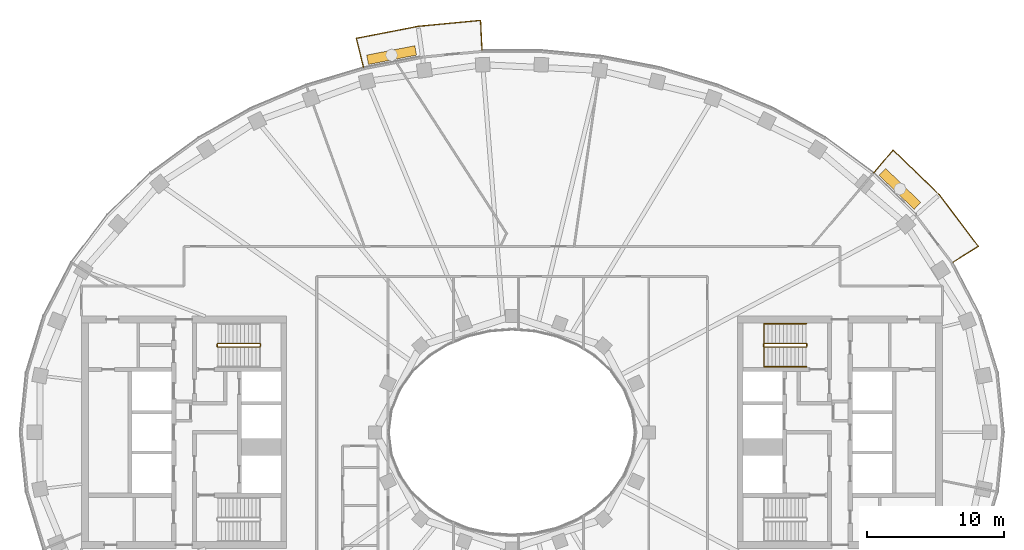
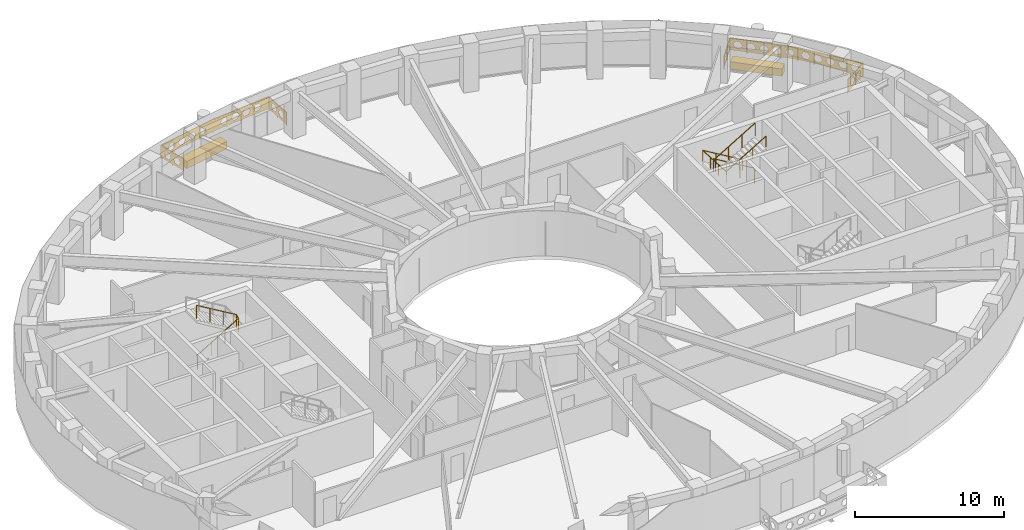
# One storey, part 15 of 16: 5 railings, 2 coverings.
"""IFC4 building model written with IfcOpenShell, lengths in metres."""

from ifc_helpers import new_model, si_unit, direction, frame, origin, origin_2d, place, context, subcontext, project, spatial, polyline, rectangle, outline, extrude, material, type_object, element, save


model = new_model("IFC4")

# Units and contexts
model_context = context("Model", 3, precision=1e-05, world=origin(), true_north=direction((0.0, 1.0)))
body_context = subcontext(model_context, "Body", "Model", "MODEL_VIEW")
ifc_project = project(units=[si_unit("LENGTHUNIT", "METRE"), si_unit("AREAUNIT", "SQUARE_METRE"), si_unit("VOLUMEUNIT", "CUBIC_METRE"), si_unit("PLANEANGLEUNIT", "RADIAN"), si_unit("MASSUNIT", "GRAM", prefix="KILO")], contexts=[model_context])

# Site, building, storey
site_placement = place(None, origin())
site = spatial("IfcSite", under=ifc_project, at=site_placement, CompositionType="ELEMENT")
building_placement = place(site_placement, origin())
building = spatial("IfcBuilding", under=site, at=building_placement, Name="Noorbagh Ring Tower", CompositionType="ELEMENT")
storey_placement = place(building_placement, frame((0.0, 0.0, 281.5)))
storey = spatial("IfcBuildingStorey", under=building, at=storey_placement, Name="L60", CompositionType="ELEMENT", Elevation=281.5)

# Railings
ifc_material_1 = material(Name="Stainless steel", Category="steel")
railing_type_1 = type_object("IfcRailingType", Name="CORE-STAIR-GUARD", PredefinedType="GUARDRAIL", material=ifc_material_1)
railing_1_placement = place(storey_placement, frame((-21.580078125, 6.300048828125, 0.0)))
element("IfcRailing", 1, at=railing_1_placement, inside=storey, type_object=railing_type_1, Name="L60 ST1 stair guard", PredefinedType="GUARDRAIL", context=body_context, shape_type="SweptSolid", body=[
    extrude(rectangle(XDim=0.048095703125, YDim=0.048095703125, at=origin_2d()), frame((0.0, 0.0, 1.076171875), z_axis=(0.0, 1.0, 0.0), x_axis=(-1.0, 0.0, 0.0)), (0.0, 0.0, 1.0), 0.14990234375),
    extrude(rectangle(XDim=0.048095703125, YDim=0.048095703125, at=origin_2d()), frame((0.0, 0.14990234375, 1.076171875), z_axis=(0.188775798145, -0.754182335027, 0.628945707965), x_axis=(0.970072785993, 0.242814311512, 0.0)), (0.0, 0.0, 1.0), 0.26513671875),
    extrude(rectangle(XDim=0.048095703125, YDim=0.048095703125, at=origin_2d()), frame((0.050048828125, -0.050048828125, 1.24267578125), z_axis=(0.859308565015, 0.0, 0.511457515432), x_axis=(0.0, 1.0, 0.0)), (0.0, 0.0, 1.0), 3.58447265625),
    extrude(rectangle(XDim=0.048095703125, YDim=0.048095703125, at=origin_2d()), frame((3.130126953125, -0.050048828125, 3.076171875), z_axis=(0.707106781187, 0.707106781187, 0.0), x_axis=(-0.707106781187, 0.707106781187, 0.0)), (0.0, 0.0, 1.0), 0.07080078125),
    extrude(rectangle(XDim=0.048095703125, YDim=0.048095703125, at=origin_2d()), frame((3.18017578125, 0.0, 3.076171875), z_axis=(0.0, 1.0, 0.0), x_axis=(-1.0, 0.0, 0.0)), (0.0, 0.0, 1.0), 0.14990234375),
    extrude(rectangle(XDim=0.048095703125, YDim=0.048095703125, at=origin_2d()), frame((3.18017578125, 0.14990234375, 3.076171875), z_axis=(-0.27628659633, 0.27628659633, 0.920506074601), x_axis=(-0.707106781187, -0.707106781187, 0.0)), (0.0, 0.0, 1.0), 0.18115234375),
    extrude(rectangle(XDim=0.048095703125, YDim=0.048095703125, at=origin_2d()), frame((3.130126953125, 0.199951171875, 3.24267578125), z_axis=(-0.859308565015, 0.0, 0.511457515432), x_axis=(0.0, -1.0, 0.0)), (0.0, 0.0, 1.0), 3.58447265625),
    extrude(rectangle(XDim=0.0419921875, YDim=0.0419921875, at=origin_2d()), origin(), (0.0, 0.0, 1.0), 1.052001953125),
    extrude(rectangle(XDim=0.0419921875, YDim=0.0419921875, at=origin_2d()), frame((1.07666015625, -0.050048828125, 0.77783203125)), (0.0, 0.0, 1.0), 1.052001953125),
    extrude(rectangle(XDim=0.0419921875, YDim=0.0419921875, at=origin_2d()), frame((2.103515625, -0.050048828125, 1.388916015625)), (0.0, 0.0, 1.0), 1.052001953125),
    extrude(rectangle(XDim=0.0419921875, YDim=0.0419921875, at=origin_2d()), frame((3.130126953125, -0.050048828125, 2.0)), (0.0, 0.0, 1.0), 1.052001953125),
    extrude(rectangle(XDim=0.0419921875, YDim=0.0419921875, at=origin_2d()), frame((3.130126953125, 0.199951171875, 2.166748046875)), (0.0, 0.0, 1.0), 1.052001953125),
    extrude(rectangle(XDim=0.0419921875, YDim=0.0419921875, at=origin_2d()), frame((2.103515625, 0.199951171875, 2.77783203125)), (0.0, 0.0, 1.0), 1.052001953125),
    extrude(rectangle(XDim=0.0419921875, YDim=0.0419921875, at=origin_2d()), frame((1.07666015625, 0.199951171875, 3.388916015625)), (0.0, 0.0, 1.0), 1.052001953125),
    extrude(rectangle(XDim=0.0419921875, YDim=0.0419921875, at=origin_2d()), frame((0.050048828125, 0.199951171875, 4.0)), (0.0, 0.0, 1.0), 1.052001953125),
])
railing_2_placement = place(storey_placement, frame((21.580078125, 6.449951171875, 0.0)))
element("IfcRailing", 2, at=railing_2_placement, inside=storey, type_object=railing_type_1, Name="L60 ST3 stair guard", PredefinedType="GUARDRAIL", context=body_context, shape_type="SweptSolid", body=[
    extrude(rectangle(XDim=0.048095703125, YDim=0.048095703125, at=origin_2d()), frame((0.0, 0.0, 1.076171875), z_axis=(0.0, -1.0, 0.0), x_axis=(1.0, 0.0, 0.0)), (0.0, 0.0, 1.0), 0.14990234375),
    extrude(rectangle(XDim=0.048095703125, YDim=0.048095703125, at=origin_2d()), frame((0.0, -0.14990234375, 1.076171875), z_axis=(-0.188775798145, 0.754182335027, 0.628945707965), x_axis=(-0.970072785993, -0.242814311512, 0.0)), (0.0, 0.0, 1.0), 0.26513671875),
    extrude(rectangle(XDim=0.048095703125, YDim=0.048095703125, at=origin_2d()), frame((-0.050048828125, 0.050048828125, 1.24267578125), z_axis=(-0.859308565015, 0.0, 0.511457515432), x_axis=(0.0, -1.0, 0.0)), (0.0, 0.0, 1.0), 3.58447265625),
    extrude(rectangle(XDim=0.048095703125, YDim=0.048095703125, at=origin_2d()), frame((-3.130126953125, 0.050048828125, 3.076171875), z_axis=(-0.707106781187, -0.707106781187, 0.0), x_axis=(0.707106781187, -0.707106781187, 0.0)), (0.0, 0.0, 1.0), 0.07080078125),
    extrude(rectangle(XDim=0.048095703125, YDim=0.048095703125, at=origin_2d()), frame((-3.18017578125, 0.0, 3.076171875), z_axis=(0.0, -1.0, 0.0), x_axis=(1.0, 0.0, 0.0)), (0.0, 0.0, 1.0), 0.14990234375),
    extrude(rectangle(XDim=0.048095703125, YDim=0.048095703125, at=origin_2d()), frame((-3.18017578125, -0.14990234375, 3.076171875), z_axis=(0.27628659633, -0.27628659633, 0.920506074601), x_axis=(0.707106781187, 0.707106781187, 0.0)), (0.0, 0.0, 1.0), 0.18115234375),
    extrude(rectangle(XDim=0.048095703125, YDim=0.048095703125, at=origin_2d()), frame((-3.130126953125, -0.199951171875, 3.24267578125), z_axis=(0.859308565015, 0.0, 0.511457515432), x_axis=(0.0, 1.0, 0.0)), (0.0, 0.0, 1.0), 3.58447265625),
    extrude(rectangle(XDim=0.0419921875, YDim=0.0419921875, at=origin_2d()), origin(), (0.0, 0.0, 1.0), 1.052001953125),
    extrude(rectangle(XDim=0.0419921875, YDim=0.0419921875, at=origin_2d()), frame((-1.07666015625, 0.050048828125, 0.77783203125)), (0.0, 0.0, 1.0), 1.052001953125),
    extrude(rectangle(XDim=0.0419921875, YDim=0.0419921875, at=origin_2d()), frame((-2.103515625, 0.050048828125, 1.388916015625)), (0.0, 0.0, 1.0), 1.052001953125),
    extrude(rectangle(XDim=0.0419921875, YDim=0.0419921875, at=origin_2d()), frame((-3.130126953125, 0.050048828125, 2.0)), (0.0, 0.0, 1.0), 1.052001953125),
    extrude(rectangle(XDim=0.0419921875, YDim=0.0419921875, at=origin_2d()), frame((-3.130126953125, -0.199951171875, 2.166748046875)), (0.0, 0.0, 1.0), 1.052001953125),
    extrude(rectangle(XDim=0.0419921875, YDim=0.0419921875, at=origin_2d()), frame((-2.103515625, -0.199951171875, 2.77783203125)), (0.0, 0.0, 1.0), 1.052001953125),
    extrude(rectangle(XDim=0.0419921875, YDim=0.0419921875, at=origin_2d()), frame((-1.07666015625, -0.199951171875, 3.388916015625)), (0.0, 0.0, 1.0), 1.052001953125),
    extrude(rectangle(XDim=0.0419921875, YDim=0.0419921875, at=origin_2d()), frame((-0.050048828125, -0.199951171875, 4.0)), (0.0, 0.0, 1.0), 1.052001953125),
])
ifc_material_2 = material(Name="Stainless steel", Category="steel")
railing_type_2 = type_object("IfcRailingType", Name="CORE-STAIR-HANDRAIL", PredefinedType="HANDRAIL", material=ifc_material_2)
railing_3_placement = place(storey_placement, frame((21.530029296875, 7.949951171875, 0.166748046875)))
element("IfcRailing", 3, at=railing_3_placement, inside=storey, type_object=railing_type_2, Name="L60 ST3 stair handrail", PredefinedType="HANDRAIL", context=body_context, shape_type="SweptSolid", body=[
    extrude(rectangle(XDim=0.048095703125, YDim=0.048095703125, at=origin_2d()), frame((0.0, 0.0, 0.8759765625), z_axis=(-0.859308565015, 0.0, 0.511457515432), x_axis=(0.0, -1.0, 0.0)), (0.0, 0.0, 1.0), 3.58447265625),
    extrude(rectangle(XDim=0.048095703125, YDim=0.048095703125, at=origin_2d()), frame((-3.080078125, 0.0, 2.708984375), z_axis=(0.0, -0.998601747152, 0.052863509014), x_axis=(1.0, 0.0, 0.0)), (0.0, 0.0, 1.0), 3.154296875),
    extrude(rectangle(XDim=0.048095703125, YDim=0.048095703125, at=origin_2d()), frame((-3.080078125, -3.14990234375, 2.8759765625), z_axis=(0.859308565015, 0.0, 0.511457515432), x_axis=(0.0, 1.0, 0.0)), (0.0, 0.0, 1.0), 3.58447265625),
    extrude(rectangle(XDim=0.0419921875, YDim=0.0419921875, at=origin_2d()), origin(), (0.0, 0.0, 1.0), 0.851806640625),
    extrude(rectangle(XDim=0.0419921875, YDim=0.0419921875, at=origin_2d()), frame((-1.026611328125, 0.0, 0.611083984375)), (0.0, 0.0, 1.0), 0.851806640625),
    extrude(rectangle(XDim=0.0419921875, YDim=0.0419921875, at=origin_2d()), frame((-2.053466796875, 0.0, 1.22216796875)), (0.0, 0.0, 1.0), 0.851806640625),
    extrude(rectangle(XDim=0.0419921875, YDim=0.0419921875, at=origin_2d()), frame((-3.080078125, 0.0, 1.833251953125)), (0.0, 0.0, 1.0), 0.851806640625),
    extrude(rectangle(XDim=0.0419921875, YDim=0.0419921875, at=origin_2d()), frame((-3.080078125, -1.050048828125, 1.888916015625)), (0.0, 0.0, 1.0), 0.851806640625),
    extrude(rectangle(XDim=0.0419921875, YDim=0.0419921875, at=origin_2d()), frame((-3.080078125, -2.099853515625, 1.9443359375)), (0.0, 0.0, 1.0), 0.851806640625),
    extrude(rectangle(XDim=0.0419921875, YDim=0.0419921875, at=origin_2d()), frame((-3.080078125, -3.14990234375, 2.0)), (0.0, 0.0, 1.0), 0.851806640625),
    extrude(rectangle(XDim=0.0419921875, YDim=0.0419921875, at=origin_2d()), frame((-2.053466796875, -3.14990234375, 2.611083984375)), (0.0, 0.0, 1.0), 0.851806640625),
    extrude(rectangle(XDim=0.0419921875, YDim=0.0419921875, at=origin_2d()), frame((-1.026611328125, -3.14990234375, 3.22216796875)), (0.0, 0.0, 1.0), 0.851806640625),
    extrude(rectangle(XDim=0.0419921875, YDim=0.0419921875, at=origin_2d()), frame((0.0, -3.14990234375, 3.833251953125)), (0.0, 0.0, 1.0), 0.851806640625),
])
ifc_material_3 = material(Name="Steel S275 black powder-coated", Category="steel")
railing_type_3 = type_object("IfcRailingType", Name="ENV-GUARD", PredefinedType="GUARDRAIL", material=ifc_material_3)
railing_4_placement = place(storey_placement, frame((32.255126953125, 12.434814453125, 0.0)))
element("IfcRailing", 4, at=railing_4_placement, inside=storey, type_object=railing_type_3, Name="Balcony guard BN01", PredefinedType="GUARDRAIL", context=body_context, shape_type="SweptSolid", body=[
    extrude(rectangle(XDim=0.048095703125, YDim=0.048095703125, at=origin_2d()), frame((0.0, 0.0, 1.076171875), z_axis=(0.844852397829, 0.534999463442, 0.0), x_axis=(-0.534999463442, 0.844852397829, 0.0)), (0.0, 0.0, 1.0), 2.207763671875),
    extrude(rectangle(XDim=0.048095703125, YDim=0.048095703125, at=origin_2d()), frame((1.865234375, 1.18115234375, 1.076171875), z_axis=(-0.604001613322, 0.796983093362, 0.0), x_axis=(-0.796983093362, -0.604001613322, 0.0)), (0.0, 0.0, 1.0), 4.7353515625),
    extrude(rectangle(XDim=0.048095703125, YDim=0.048095703125, at=origin_2d()), frame((-0.994873046875, 4.955078125, 1.076171875), z_axis=(-0.717212632946, 0.696854388766, 0.0), x_axis=(-0.696854388766, -0.717212632946, 0.0)), (0.0, 0.0, 1.0), 4.700927734375),
    extrude(rectangle(XDim=0.048095703125, YDim=0.048095703125, at=origin_2d()), frame((-4.366455078125, 8.23095703125, 1.076171875), z_axis=(-0.646413574048, -0.762987215677, 0.0), x_axis=(0.762987215677, -0.646413574048, 0.0)), (0.0, 0.0, 1.0), 2.205322265625),
    extrude(rectangle(XDim=0.0419921875, YDim=0.0419921875, at=origin_2d()), origin(), (0.0, 0.0, 1.0), 1.052001953125),
    extrude(rectangle(XDim=0.0419921875, YDim=0.0419921875, at=origin_2d()), frame((0.9326171875, 0.590576171875, 0.0)), (0.0, 0.0, 1.0), 1.052001953125),
    extrude(rectangle(XDim=0.0419921875, YDim=0.0419921875, at=origin_2d()), frame((1.865234375, 1.18115234375, 0.0)), (0.0, 0.0, 1.0), 1.052001953125),
    extrude(rectangle(XDim=0.0419921875, YDim=0.0419921875, at=origin_2d()), frame((1.150146484375, 2.12451171875, 0.0)), (0.0, 0.0, 1.0), 1.052001953125),
    extrude(rectangle(XDim=0.0419921875, YDim=0.0419921875, at=origin_2d()), frame((0.43505859375, 3.068115234375, 0.0)), (0.0, 0.0, 1.0), 1.052001953125),
    extrude(rectangle(XDim=0.0419921875, YDim=0.0419921875, at=origin_2d()), frame((-0.27978515625, 4.01171875, 0.0)), (0.0, 0.0, 1.0), 1.052001953125),
    extrude(rectangle(XDim=0.0419921875, YDim=0.0419921875, at=origin_2d()), frame((-0.994873046875, 4.955078125, 0.0)), (0.0, 0.0, 1.0), 1.052001953125),
    extrude(rectangle(XDim=0.0419921875, YDim=0.0419921875, at=origin_2d()), frame((-1.837890625, 5.77392578125, 0.0)), (0.0, 0.0, 1.0), 1.052001953125),
    extrude(rectangle(XDim=0.0419921875, YDim=0.0419921875, at=origin_2d()), frame((-2.6806640625, 6.593017578125, 0.0)), (0.0, 0.0, 1.0), 1.052001953125),
    extrude(rectangle(XDim=0.0419921875, YDim=0.0419921875, at=origin_2d()), frame((-3.5234375, 7.412109375, 0.0)), (0.0, 0.0, 1.0), 1.052001953125),
    extrude(rectangle(XDim=0.0419921875, YDim=0.0419921875, at=origin_2d()), frame((-4.366455078125, 8.23095703125, 0.0)), (0.0, 0.0, 1.0), 1.052001953125),
    extrude(rectangle(XDim=0.0419921875, YDim=0.0419921875, at=origin_2d()), frame((-5.0791015625, 7.3896484375, 0.0)), (0.0, 0.0, 1.0), 1.052001953125),
    extrude(rectangle(XDim=0.0419921875, YDim=0.0419921875, at=origin_2d()), frame((-5.7919921875, 6.54833984375, 0.0)), (0.0, 0.0, 1.0), 1.052001953125),
    extrude(outline(polyline([(0.0, 0.10009765625), (2.207763671875, 0.10009765625), (2.207763671875, 1.031982421875), (0.0, 1.031982421875), (0.0, 0.10009765625)]), holes=[polyline([(0.9638671875, 0.56591796875), (0.808837890625, 0.83447265625), (0.498779296875, 0.83447265625), (0.343994140625, 0.56591796875), (0.498779296875, 0.297607421875), (0.808837890625, 0.297607421875), (0.9638671875, 0.56591796875)]), polyline([(1.86376953125, 0.56591796875), (1.708984375, 0.83447265625), (1.39892578125, 0.83447265625), (1.243896484375, 0.56591796875), (1.39892578125, 0.297607421875), (1.708984375, 0.297607421875), (1.86376953125, 0.56591796875)])]), frame((-0.00537109375, 0.008544921875, 0.0), z_axis=(0.534999463442, -0.844852397829, 0.0), x_axis=(0.844852397829, 0.534999463442, 0.0)), (0.0, 0.0, 1.0), 0.02001953125),
    extrude(outline(polyline([(0.0, 0.10009765625), (4.7353515625, 0.10009765625), (4.7353515625, 1.031982421875), (0.0, 1.031982421875), (0.0, 0.10009765625)]), holes=[polyline([(0.877685546875, 0.56591796875), (0.72265625, 0.83447265625), (0.41259765625, 0.83447265625), (0.257568359375, 0.56591796875), (0.41259765625, 0.297607421875), (0.72265625, 0.297607421875), (0.877685546875, 0.56591796875)]), polyline([(1.777587890625, 0.56591796875), (1.62255859375, 0.83447265625), (1.312744140625, 0.83447265625), (1.15771484375, 0.56591796875), (1.312744140625, 0.297607421875), (1.62255859375, 0.297607421875), (1.777587890625, 0.56591796875)]), polyline([(2.677734375, 0.56591796875), (2.522705078125, 0.83447265625), (2.212646484375, 0.83447265625), (2.0576171875, 0.56591796875), (2.212646484375, 0.297607421875), (2.522705078125, 0.297607421875), (2.677734375, 0.56591796875)]), polyline([(3.57763671875, 0.56591796875), (3.422607421875, 0.83447265625), (3.112548828125, 0.83447265625), (2.95751953125, 0.56591796875), (3.112548828125, 0.297607421875), (3.422607421875, 0.297607421875), (3.57763671875, 0.56591796875)]), polyline([(4.4775390625, 0.56591796875), (4.32275390625, 0.83447265625), (4.0126953125, 0.83447265625), (3.857666015625, 0.56591796875), (4.0126953125, 0.297607421875), (4.32275390625, 0.297607421875), (4.4775390625, 0.56591796875)])]), frame((1.857177734375, 1.175048828125, 0.0), z_axis=(0.796983093362, 0.604001613322, 0.0), x_axis=(-0.604001613322, 0.796983093362, 0.0)), (0.0, 0.0, 1.0), 0.02001953125),
    extrude(outline(polyline([(0.0, 0.10009765625), (4.700927734375, 0.10009765625), (4.700927734375, 1.031982421875), (0.0, 1.031982421875), (0.0, 0.10009765625)]), holes=[polyline([(0.860595703125, 0.56591796875), (0.70556640625, 0.83447265625), (0.3955078125, 0.83447265625), (0.240478515625, 0.56591796875), (0.3955078125, 0.297607421875), (0.70556640625, 0.297607421875), (0.860595703125, 0.56591796875)]), polyline([(1.760498046875, 0.56591796875), (1.60546875, 0.83447265625), (1.29541015625, 0.83447265625), (1.140380859375, 0.56591796875), (1.29541015625, 0.297607421875), (1.60546875, 0.297607421875), (1.760498046875, 0.56591796875)]), polyline([(2.660400390625, 0.56591796875), (2.50537109375, 0.83447265625), (2.195556640625, 0.83447265625), (2.04052734375, 0.56591796875), (2.195556640625, 0.297607421875), (2.50537109375, 0.297607421875), (2.660400390625, 0.56591796875)]), polyline([(3.560546875, 0.56591796875), (3.405517578125, 0.83447265625), (3.095458984375, 0.83447265625), (2.9404296875, 0.56591796875), (3.095458984375, 0.297607421875), (3.405517578125, 0.297607421875), (3.560546875, 0.56591796875)]), polyline([(4.46044921875, 0.56591796875), (4.305419921875, 0.83447265625), (3.995361328125, 0.83447265625), (3.840576171875, 0.56591796875), (3.995361328125, 0.297607421875), (4.305419921875, 0.297607421875), (4.46044921875, 0.56591796875)])]), frame((-1.001953125, 4.947998046875, 0.0), z_axis=(0.696854388766, 0.717212632946, 0.0), x_axis=(-0.717212632946, 0.696854388766, 0.0)), (0.0, 0.0, 1.0), 0.02001953125),
    extrude(outline(polyline([(0.0, 0.10009765625), (2.205322265625, 0.10009765625), (2.205322265625, 1.031982421875), (0.0, 1.031982421875), (0.0, 0.10009765625)]), holes=[polyline([(0.962646484375, 0.56591796875), (0.8076171875, 0.83447265625), (0.49755859375, 0.83447265625), (0.342529296875, 0.56591796875), (0.49755859375, 0.297607421875), (0.8076171875, 0.297607421875), (0.962646484375, 0.56591796875)]), polyline([(1.862548828125, 0.56591796875), (1.707763671875, 0.83447265625), (1.397705078125, 0.83447265625), (1.24267578125, 0.56591796875), (1.397705078125, 0.297607421875), (1.707763671875, 0.297607421875), (1.862548828125, 0.56591796875)])]), frame((-4.35888671875, 8.224609375, 0.0), z_axis=(-0.762987215677, 0.646413574048, 0.0), x_axis=(-0.646413574048, -0.762987215677, 0.0)), (0.0, 0.0, 1.0), 0.02001953125),
])
railing_5_placement = place(storey_placement, frame((-2.193115234375, 27.947998046875, 0.0)))
element("IfcRailing", 5, at=railing_5_placement, inside=storey, type_object=railing_type_3, Name="Balcony guard BN04", PredefinedType="GUARDRAIL", context=body_context, shape_type="SweptSolid", body=[
    extrude(rectangle(XDim=0.048095703125, YDim=0.048095703125, at=origin_2d()), frame((0.0, 0.0, 1.076171875), z_axis=(-0.047554616162, 0.998868639252, 0.0), x_axis=(-0.998868639252, -0.047554616162, 0.0)), (0.0, 0.0, 1.0), 2.202392578125),
    extrude(rectangle(XDim=0.048095703125, YDim=0.048095703125, at=origin_2d()), frame((-0.104736328125, 2.199951171875, 1.076171875), z_axis=(-0.995477555764, -0.094997031379, 0.0), x_axis=(0.094997031379, -0.995477555764, 0.0)), (0.0, 0.0, 1.0), 4.59765625),
    extrude(rectangle(XDim=0.048095703125, YDim=0.048095703125, at=origin_2d()), frame((-4.681640625, 1.76318359375, 1.076171875), z_axis=(-0.981625049064, -0.1908199755, 0.0), x_axis=(0.1908199755, -0.981625049064, 0.0)), (0.0, 0.0, 1.0), 4.603271484375),
    extrude(rectangle(XDim=0.048095703125, YDim=0.048095703125, at=origin_2d()), frame((-9.200439453125, 0.884765625, 1.076171875), z_axis=(0.239848558412, -0.970810315679, 0.0), x_axis=(0.970810315679, 0.239848558412, 0.0)), (0.0, 0.0, 1.0), 2.20263671875),
    extrude(rectangle(XDim=0.0419921875, YDim=0.0419921875, at=origin_2d()), origin(), (0.0, 0.0, 1.0), 1.052001953125),
    extrude(rectangle(XDim=0.0419921875, YDim=0.0419921875, at=origin_2d()), frame((-0.05224609375, 1.10009765625, 0.0)), (0.0, 0.0, 1.0), 1.052001953125),
    extrude(rectangle(XDim=0.0419921875, YDim=0.0419921875, at=origin_2d()), frame((-0.104736328125, 2.199951171875, 0.0)), (0.0, 0.0, 1.0), 1.052001953125),
    extrude(rectangle(XDim=0.0419921875, YDim=0.0419921875, at=origin_2d()), frame((-1.2490234375, 2.0908203125, 0.0)), (0.0, 0.0, 1.0), 1.052001953125),
    extrude(rectangle(XDim=0.0419921875, YDim=0.0419921875, at=origin_2d()), frame((-2.39306640625, 1.9814453125, 0.0)), (0.0, 0.0, 1.0), 1.052001953125),
    extrude(rectangle(XDim=0.0419921875, YDim=0.0419921875, at=origin_2d()), frame((-3.537353515625, 1.872314453125, 0.0)), (0.0, 0.0, 1.0), 1.052001953125),
    extrude(rectangle(XDim=0.0419921875, YDim=0.0419921875, at=origin_2d()), frame((-4.681640625, 1.76318359375, 0.0)), (0.0, 0.0, 1.0), 1.052001953125),
    extrude(rectangle(XDim=0.0419921875, YDim=0.0419921875, at=origin_2d()), frame((-5.811279296875, 1.54345703125, 0.0)), (0.0, 0.0, 1.0), 1.052001953125),
    extrude(rectangle(XDim=0.0419921875, YDim=0.0419921875, at=origin_2d()), frame((-6.94091796875, 1.323974609375, 0.0)), (0.0, 0.0, 1.0), 1.052001953125),
    extrude(rectangle(XDim=0.0419921875, YDim=0.0419921875, at=origin_2d()), frame((-8.07080078125, 1.1044921875, 0.0)), (0.0, 0.0, 1.0), 1.052001953125),
    extrude(rectangle(XDim=0.0419921875, YDim=0.0419921875, at=origin_2d()), frame((-9.200439453125, 0.884765625, 0.0)), (0.0, 0.0, 1.0), 1.052001953125),
    extrude(rectangle(XDim=0.0419921875, YDim=0.0419921875, at=origin_2d()), frame((-8.936279296875, -0.1845703125, 0.0)), (0.0, 0.0, 1.0), 1.052001953125),
    extrude(rectangle(XDim=0.0419921875, YDim=0.0419921875, at=origin_2d()), frame((-8.672119140625, -1.253662109375, 0.0)), (0.0, 0.0, 1.0), 1.052001953125),
    extrude(outline(polyline([(0.0, 0.10009765625), (2.202392578125, 0.10009765625), (2.202392578125, 1.031982421875), (0.0, 1.031982421875), (0.0, 0.10009765625)]), holes=[polyline([(0.961181640625, 0.56591796875), (0.80615234375, 0.83447265625), (0.496337890625, 0.83447265625), (0.34130859375, 0.56591796875), (0.496337890625, 0.297607421875), (0.80615234375, 0.297607421875), (0.961181640625, 0.56591796875)]), polyline([(1.861328125, 0.56591796875), (1.706298828125, 0.83447265625), (1.396240234375, 0.83447265625), (1.2412109375, 0.56591796875), (1.396240234375, 0.297607421875), (1.706298828125, 0.297607421875), (1.861328125, 0.56591796875)])]), frame((-0.010009765625, -0.00048828125, 0.0), z_axis=(0.998868639252, 0.047554616162, 0.0), x_axis=(-0.047554616162, 0.998868639252, 0.0)), (0.0, 0.0, 1.0), 0.02001953125),
    extrude(outline(polyline([(0.0, 0.10009765625), (4.59765625, 0.10009765625), (4.59765625, 1.031982421875), (0.0, 1.031982421875), (0.0, 0.10009765625)]), holes=[polyline([(1.2587890625, 0.56591796875), (1.103759765625, 0.83447265625), (0.7939453125, 0.83447265625), (0.638916015625, 0.56591796875), (0.7939453125, 0.297607421875), (1.103759765625, 0.297607421875), (1.2587890625, 0.56591796875)]), polyline([(2.158935546875, 0.56591796875), (2.00390625, 0.83447265625), (1.69384765625, 0.83447265625), (1.538818359375, 0.56591796875), (1.69384765625, 0.297607421875), (2.00390625, 0.297607421875), (2.158935546875, 0.56591796875)]), polyline([(3.058837890625, 0.56591796875), (2.90380859375, 0.83447265625), (2.59375, 0.83447265625), (2.43896484375, 0.56591796875), (2.59375, 0.297607421875), (2.90380859375, 0.297607421875), (3.058837890625, 0.56591796875)]), polyline([(3.958740234375, 0.56591796875), (3.803955078125, 0.83447265625), (3.493896484375, 0.83447265625), (3.3388671875, 0.56591796875), (3.493896484375, 0.297607421875), (3.803955078125, 0.297607421875), (3.958740234375, 0.56591796875)])]), frame((-0.103759765625, 2.18994140625, 0.0), z_axis=(-0.094997031379, 0.995477555764, 0.0), x_axis=(-0.995477555764, -0.094997031379, 0.0)), (0.0, 0.0, 1.0), 0.02001953125),
    extrude(outline(polyline([(0.0, 0.10009765625), (4.603271484375, 0.10009765625), (4.603271484375, 1.031982421875), (0.0, 1.031982421875), (0.0, 0.10009765625)]), holes=[polyline([(1.26171875, 0.56591796875), (1.106689453125, 0.83447265625), (0.796630859375, 0.83447265625), (0.6416015625, 0.56591796875), (0.796630859375, 0.297607421875), (1.106689453125, 0.297607421875), (1.26171875, 0.56591796875)]), polyline([(2.16162109375, 0.56591796875), (2.006591796875, 0.83447265625), (1.69677734375, 0.83447265625), (1.541748046875, 0.56591796875), (1.69677734375, 0.297607421875), (2.006591796875, 0.297607421875), (2.16162109375, 0.56591796875)]), polyline([(3.061767578125, 0.56591796875), (2.90673828125, 0.83447265625), (2.5966796875, 0.83447265625), (2.441650390625, 0.56591796875), (2.5966796875, 0.297607421875), (2.90673828125, 0.297607421875), (3.061767578125, 0.56591796875)]), polyline([(3.961669921875, 0.56591796875), (3.806640625, 0.83447265625), (3.49658203125, 0.83447265625), (3.341796875, 0.56591796875), (3.49658203125, 0.297607421875), (3.806640625, 0.297607421875), (3.961669921875, 0.56591796875)])]), frame((-4.6796875, 1.75341796875, 0.0), z_axis=(-0.1908199755, 0.981625049064, 0.0), x_axis=(-0.981625049064, -0.1908199755, 0.0)), (0.0, 0.0, 1.0), 0.02001953125),
    extrude(outline(polyline([(0.0, 0.10009765625), (2.20263671875, 0.10009765625), (2.20263671875, 1.031982421875), (0.0, 1.031982421875), (0.0, 0.10009765625)]), holes=[polyline([(0.96142578125, 0.56591796875), (0.806396484375, 0.83447265625), (0.496337890625, 0.83447265625), (0.34130859375, 0.56591796875), (0.496337890625, 0.297607421875), (0.806396484375, 0.297607421875), (0.96142578125, 0.56591796875)]), polyline([(1.861328125, 0.56591796875), (1.706298828125, 0.83447265625), (1.396240234375, 0.83447265625), (1.241455078125, 0.56591796875), (1.396240234375, 0.297607421875), (1.706298828125, 0.297607421875), (1.861328125, 0.56591796875)])]), frame((-9.190673828125, 0.88720703125, 0.0), z_axis=(-0.970810315679, -0.239848558412, 0.0), x_axis=(0.239848558412, -0.970810315679, 0.0)), (0.0, 0.0, 1.0), 0.02001953125),
])

# Coverings
ifc_material_4 = material(Name="Concrete C30/37 planter with soil", Category="concrete")
covering_type = type_object("IfcCoveringType", Name="ENV-PLANTER", PredefinedType="CLADDING", material=ifc_material_4)
covering_1_placement = place(storey_placement, frame((28.3837890625, 17.814208984375, 0.0), z_axis=(0.0, 0.0, 1.0), x_axis=(-0.717224548362, 0.696842125038, 0.0)))
element("IfcCovering", 6, at=covering_1_placement, inside=storey, type_object=covering_type, Name="PLANTER BN01", ObjectType="PLANTER", PredefinedType="CLADDING", context=body_context, shape_type="SweptSolid", body=[
    extrude(rectangle(XDim=3.584228515625, YDim=0.699951171875, at=origin_2d()), origin(), (0.0, 0.0, 1.0), 0.60009765625),
])
covering_2_placement = place(storey_placement, frame((-8.807861328125, 27.603515625, 0.0), z_axis=(0.0, 0.0, 1.0), x_axis=(-0.981624952922, -0.190820470077, 0.0)))
element("IfcCovering", 7, at=covering_2_placement, inside=storey, type_object=covering_type, Name="PLANTER BN04", ObjectType="PLANTER", PredefinedType="CLADDING", context=body_context, shape_type="SweptSolid", body=[
    extrude(rectangle(XDim=3.586181640625, YDim=0.699951171875, at=origin_2d()), origin(), (0.0, 0.0, 1.0), 0.60009765625),
])

save(model, "model.ifc")
